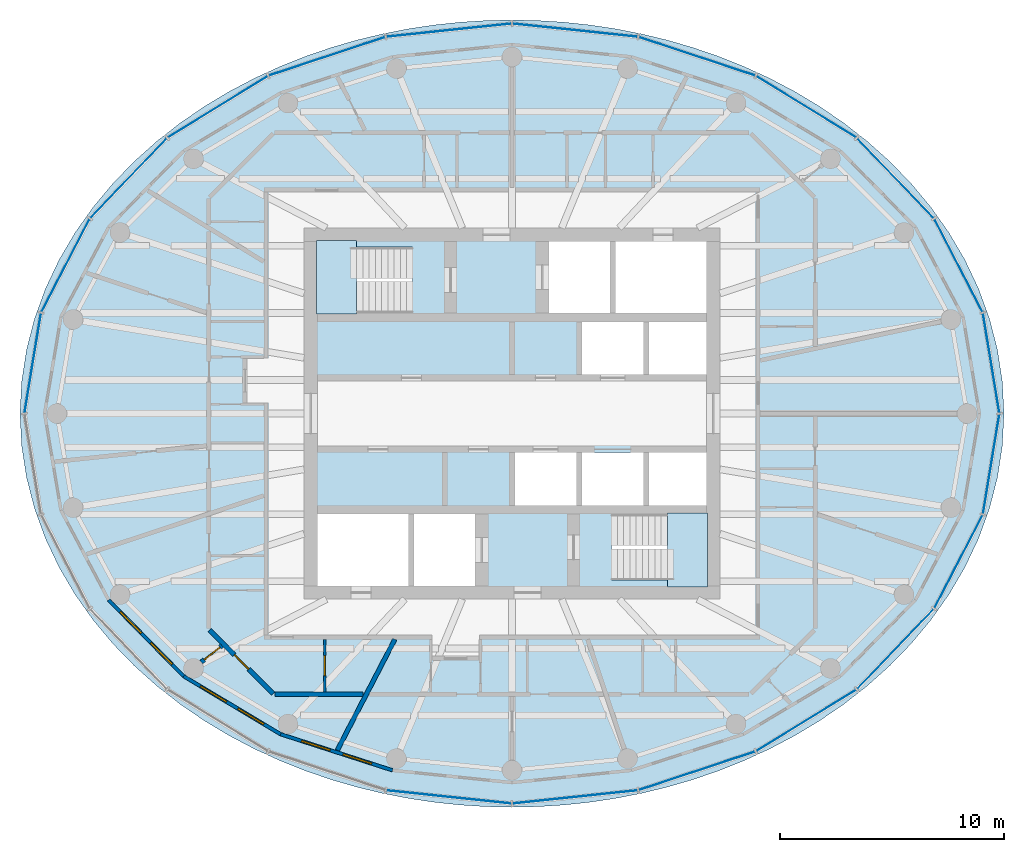
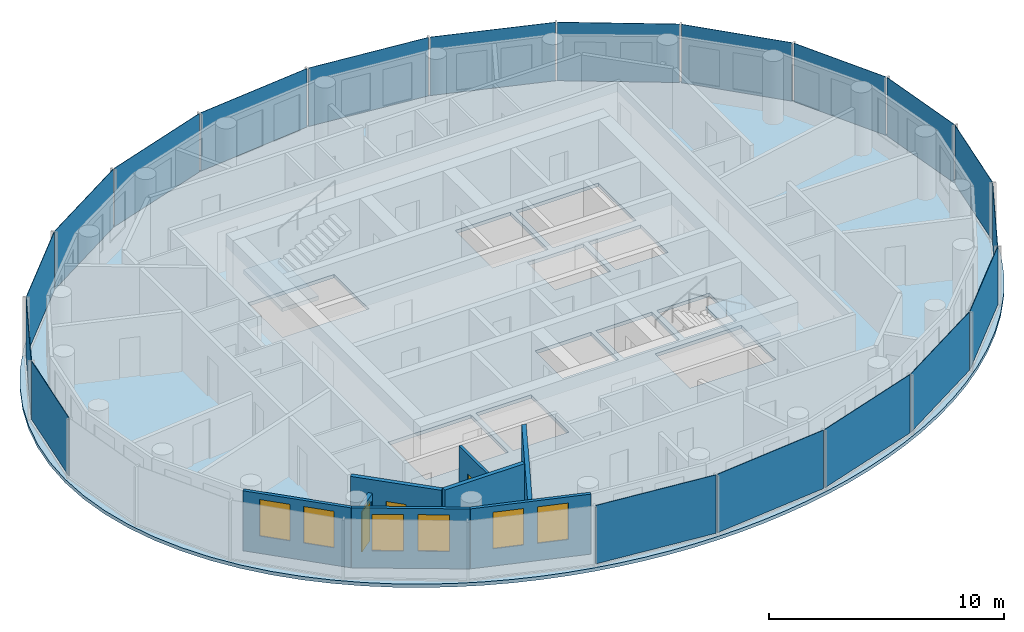
# One storey, part 4 of 11: 19 plates, 8 walls, 6 windows, 3 doors, 3 slabs, 9 openings, 6 elements without a shape of their own.
"""IFC4 building model written with IfcOpenShell, lengths in metres."""

from ifc_helpers import new_model, si_unit, direction, frame, frame_2d, origin, origin_2d, place, context, subcontext, project, spatial, polyline, rectangle, outline, extrude, material, layer, layer_set, type_object, element, fill, aggregate, save


model = new_model("IFC4")

# Units and contexts
model_context = context("Model", 3, precision=1e-05, world=origin(), true_north=direction((0.0, 1.0)))
body_context = subcontext(model_context, "Body", "Model", "MODEL_VIEW")
ifc_project = project(units=[si_unit("LENGTHUNIT", "METRE"), si_unit("AREAUNIT", "SQUARE_METRE"), si_unit("VOLUMEUNIT", "CUBIC_METRE"), si_unit("PLANEANGLEUNIT", "RADIAN"), si_unit("MASSUNIT", "GRAM", prefix="KILO")], contexts=[model_context])

# Site, building, storey
site_placement = place(None, origin())
site = spatial("IfcSite", under=ifc_project, at=site_placement, CompositionType="ELEMENT")
building_placement = place(site_placement, origin())
building = spatial("IfcBuilding", under=site, at=building_placement, Name="Hankou Lantern Tower", CompositionType="ELEMENT")
storey_placement = place(building_placement, frame((0.0, 0.0, 196.199951171875)))
storey = spatial("IfcBuildingStorey", under=building, at=storey_placement, Name="L52", CompositionType="ELEMENT", Elevation=196.199951171875)

# Curtain wall, plates
ifc_material_1 = material(Name="Glass, dark grey tinted laminated", Category="glass")
curtain_wall_type = type_object("IfcCurtainWallType", Name="CWD OUTER SKIN SUITE", PredefinedType="USERDEFINED", material=ifc_material_1)
curtain_wall_1_placement = place(storey_placement, origin())
curtain_wall_1 = element("IfcCurtainWall", 1, at=curtain_wall_1_placement, inside=storey, type_object=curtain_wall_type, Name="CWD L52 OS1", ObjectType="OUTER SKIN SUITE", PredefinedType="USERDEFINED")
ifc_material_2 = material(Name="Glass, dark grey tinted laminated", Category="glass")
ifc_layer_1 = layer(ifc_material_2, 0.02392578125)
ifc_layer_set_1 = layer_set([ifc_layer_1], Name="Glass, dark grey tinted laminated")
plate_type = type_object("IfcPlateType", Name="PN1 OUTER SKIN GLASS PANEL", PredefinedType="CURTAIN_PANEL", material=ifc_layer_set_1)
plate_1_placement = place(storey_placement, frame((21.4287109375, 2.2568359375, 0.080078125), z_axis=(0.0, 0.0, 1.0), x_axis=(-0.162381515188, 0.986728049427, 0.0)))
plate_1 = element("IfcPlate", 2, at=plate_1_placement, type_object=plate_type, Name="CWD glass panel 1", PredefinedType="CURTAIN_PANEL", context=body_context, shape_type="SweptSolid", body=[
    extrude(rectangle(XDim=4.49462890625, YDim=0.02392578125, at=origin_2d()), origin(), (0.0, 0.0, 1.0), 3.0400390625),
])
plate_2_placement = place(storey_placement, frame((19.96826171875, 6.616943359375, 0.080078125), z_axis=(0.0, 0.0, 1.0), x_axis=(-0.459791091957, 0.888027112062, 0.0)))
plate_2 = element("IfcPlate", 3, at=plate_2_placement, type_object=plate_type, Name="CWD glass panel 2", PredefinedType="CURTAIN_PANEL", context=body_context, shape_type="SweptSolid", body=[
    extrude(rectangle(XDim=4.656494140625, YDim=0.02392578125, at=origin_2d()), origin(), (0.0, 0.0, 1.0), 3.0400390625),
])
plate_3_placement = place(storey_placement, frame((17.147216796875, 10.52587890625, 0.080078125), z_axis=(0.0, 0.0, 1.0), x_axis=(-0.692215809936, 0.721690565599, 0.0)))
plate_3 = element("IfcPlate", 4, at=plate_3_placement, type_object=plate_type, Name="CWD glass panel 3", PredefinedType="CURTAIN_PANEL", context=body_context, shape_type="SweptSolid", body=[
    extrude(rectangle(XDim=4.9248046875, YDim=0.02392578125, at=origin_2d()), origin(), (0.0, 0.0, 1.0), 3.0400390625),
])
plate_4_placement = place(storey_placement, frame((13.157470703125, 13.7177734375, 0.080078125), z_axis=(0.0, 0.0, 1.0), x_axis=(-0.852237151549, 0.523155653242, 0.0)))
plate_4 = element("IfcPlate", 5, at=plate_4_placement, type_object=plate_type, Name="CWD glass panel 4", PredefinedType="CURTAIN_PANEL", context=body_context, shape_type="SweptSolid", body=[
    extrude(rectangle(XDim=5.2177734375, YDim=0.02392578125, at=origin_2d()), origin(), (0.0, 0.0, 1.0), 3.0400390625),
])
plate_5_placement = place(storey_placement, frame((8.271240234375, 15.974609375, 0.080078125), z_axis=(0.0, 0.0, 1.0), x_axis=(-0.949240677293, 0.31455068999, 0.0)))
plate_5 = element("IfcPlate", 6, at=plate_5_placement, type_object=plate_type, Name="CWD glass panel 5", PredefinedType="CURTAIN_PANEL", context=body_context, shape_type="SweptSolid", body=[
    extrude(rectangle(XDim=5.458984375, YDim=0.02392578125, at=origin_2d()), origin(), (0.0, 0.0, 1.0), 3.0400390625),
])
plate_6_placement = place(storey_placement, frame((2.821044921875, 17.142822265625, 0.080078125), z_axis=(0.0, 0.0, 1.0), x_axis=(-0.994499359107, 0.104742659579, 0.0)))
plate_6 = element("IfcPlate", 7, at=plate_6_placement, type_object=plate_type, Name="CWD glass panel 6", PredefinedType="CURTAIN_PANEL", context=body_context, shape_type="SweptSolid", body=[
    extrude(rectangle(XDim=5.593505859375, YDim=0.02392578125, at=origin_2d()), origin(), (0.0, 0.0, 1.0), 3.0400390625),
])
aggregate(curtain_wall_1, [plate_1, plate_2, plate_3, plate_4, plate_5, plate_6])

curtain_wall_2_placement = place(storey_placement, origin())
curtain_wall_2 = element("IfcCurtainWall", 8, at=curtain_wall_2_placement, inside=storey, type_object=curtain_wall_type, Name="CWD L52 OS2", ObjectType="OUTER SKIN SUITE", PredefinedType="USERDEFINED")
plate_7_placement = place(storey_placement, frame((-2.821044921875, 17.142822265625, 0.080078125), z_axis=(0.0, 0.0, 1.0), x_axis=(-0.994499359107, -0.104742659579, 0.0)))
plate_7 = element("IfcPlate", 9, at=plate_7_placement, type_object=plate_type, Name="CWD glass panel 1", PredefinedType="CURTAIN_PANEL", context=body_context, shape_type="SweptSolid", body=[
    extrude(rectangle(XDim=5.593505859375, YDim=0.02392578125, at=origin_2d()), origin(), (0.0, 0.0, 1.0), 3.0400390625),
])
plate_8_placement = place(storey_placement, frame((-8.271240234375, 15.974609375, 0.080078125), z_axis=(0.0, 0.0, 1.0), x_axis=(-0.949240677293, -0.31455068999, 0.0)))
plate_8 = element("IfcPlate", 10, at=plate_8_placement, type_object=plate_type, Name="CWD glass panel 2", PredefinedType="CURTAIN_PANEL", context=body_context, shape_type="SweptSolid", body=[
    extrude(rectangle(XDim=5.458984375, YDim=0.02392578125, at=origin_2d()), origin(), (0.0, 0.0, 1.0), 3.0400390625),
])
plate_9_placement = place(storey_placement, frame((-13.157470703125, 13.7177734375, 0.080078125), z_axis=(0.0, 0.0, 1.0), x_axis=(-0.852237151549, -0.523155653242, 0.0)))
plate_9 = element("IfcPlate", 11, at=plate_9_placement, type_object=plate_type, Name="CWD glass panel 3", PredefinedType="CURTAIN_PANEL", context=body_context, shape_type="SweptSolid", body=[
    extrude(rectangle(XDim=5.2177734375, YDim=0.02392578125, at=origin_2d()), origin(), (0.0, 0.0, 1.0), 3.0400390625),
])
plate_10_placement = place(storey_placement, frame((-17.147216796875, 10.52587890625, 0.080078125), z_axis=(0.0, 0.0, 1.0), x_axis=(-0.692215809936, -0.721690565599, 0.0)))
plate_10 = element("IfcPlate", 12, at=plate_10_placement, type_object=plate_type, Name="CWD glass panel 4", PredefinedType="CURTAIN_PANEL", context=body_context, shape_type="SweptSolid", body=[
    extrude(rectangle(XDim=4.9248046875, YDim=0.02392578125, at=origin_2d()), origin(), (0.0, 0.0, 1.0), 3.0400390625),
])
plate_11_placement = place(storey_placement, frame((-19.96826171875, 6.616943359375, 0.080078125), z_axis=(0.0, 0.0, 1.0), x_axis=(-0.459791091957, -0.888027112062, 0.0)))
plate_11 = element("IfcPlate", 13, at=plate_11_placement, type_object=plate_type, Name="CWD glass panel 5", PredefinedType="CURTAIN_PANEL", context=body_context, shape_type="SweptSolid", body=[
    extrude(rectangle(XDim=4.656494140625, YDim=0.02392578125, at=origin_2d()), origin(), (0.0, 0.0, 1.0), 3.0400390625),
])
plate_12_placement = place(storey_placement, frame((-21.4287109375, 2.2568359375, 0.080078125), z_axis=(0.0, 0.0, 1.0), x_axis=(-0.162381515188, -0.986728049427, 0.0)))
plate_12 = element("IfcPlate", 14, at=plate_12_placement, type_object=plate_type, Name="CWD glass panel 6", PredefinedType="CURTAIN_PANEL", context=body_context, shape_type="SweptSolid", body=[
    extrude(rectangle(XDim=4.49462890625, YDim=0.02392578125, at=origin_2d()), origin(), (0.0, 0.0, 1.0), 3.0400390625),
])
aggregate(curtain_wall_2, [plate_7, plate_8, plate_9, plate_10, plate_11, plate_12])

# Curtain wall, plate
curtain_wall_3_placement = place(storey_placement, origin())
curtain_wall_3 = element("IfcCurtainWall", 15, at=curtain_wall_3_placement, inside=storey, type_object=curtain_wall_type, Name="CWD L52 OS3", ObjectType="OUTER SKIN SUITE", PredefinedType="USERDEFINED")
plate_13_placement = place(storey_placement, frame((-2.821044921875, -17.142822265625, 0.080078125), z_axis=(0.0, 0.0, 1.0), x_axis=(0.994499359107, -0.104742659579, 0.0)))
plate_13 = element("IfcPlate", 16, at=plate_13_placement, type_object=plate_type, Name="CWD glass panel 6", PredefinedType="CURTAIN_PANEL", context=body_context, shape_type="SweptSolid", body=[
    extrude(rectangle(XDim=5.593505859375, YDim=0.02392578125, at=origin_2d()), origin(), (0.0, 0.0, 1.0), 3.0400390625),
])
aggregate(curtain_wall_3, [plate_13])

# Curtain wall, plates
curtain_wall_4_placement = place(storey_placement, origin())
curtain_wall_4 = element("IfcCurtainWall", 17, at=curtain_wall_4_placement, inside=storey, type_object=curtain_wall_type, Name="CWD L52 OS4", ObjectType="OUTER SKIN SUITE", PredefinedType="USERDEFINED")
plate_14_placement = place(storey_placement, frame((2.821044921875, -17.142822265625, 0.080078125), z_axis=(0.0, 0.0, 1.0), x_axis=(0.994499359107, 0.104742659579, 0.0)))
plate_14 = element("IfcPlate", 18, at=plate_14_placement, type_object=plate_type, Name="CWD glass panel 1", PredefinedType="CURTAIN_PANEL", context=body_context, shape_type="SweptSolid", body=[
    extrude(rectangle(XDim=5.593505859375, YDim=0.02392578125, at=origin_2d()), origin(), (0.0, 0.0, 1.0), 3.0400390625),
])
plate_15_placement = place(storey_placement, frame((8.271240234375, -15.974609375, 0.080078125), z_axis=(0.0, 0.0, 1.0), x_axis=(0.949240677293, 0.31455068999, 0.0)))
plate_15 = element("IfcPlate", 19, at=plate_15_placement, type_object=plate_type, Name="CWD glass panel 2", PredefinedType="CURTAIN_PANEL", context=body_context, shape_type="SweptSolid", body=[
    extrude(rectangle(XDim=5.458984375, YDim=0.02392578125, at=origin_2d()), origin(), (0.0, 0.0, 1.0), 3.0400390625),
])
plate_16_placement = place(storey_placement, frame((13.157470703125, -13.7177734375, 0.080078125), z_axis=(0.0, 0.0, 1.0), x_axis=(0.852237151549, 0.523155653242, 0.0)))
plate_16 = element("IfcPlate", 20, at=plate_16_placement, type_object=plate_type, Name="CWD glass panel 3", PredefinedType="CURTAIN_PANEL", context=body_context, shape_type="SweptSolid", body=[
    extrude(rectangle(XDim=5.2177734375, YDim=0.02392578125, at=origin_2d()), origin(), (0.0, 0.0, 1.0), 3.0400390625),
])
plate_17_placement = place(storey_placement, frame((17.147216796875, -10.52587890625, 0.080078125), z_axis=(0.0, 0.0, 1.0), x_axis=(0.692215809936, 0.721690565599, 0.0)))
plate_17 = element("IfcPlate", 21, at=plate_17_placement, type_object=plate_type, Name="CWD glass panel 4", PredefinedType="CURTAIN_PANEL", context=body_context, shape_type="SweptSolid", body=[
    extrude(rectangle(XDim=4.9248046875, YDim=0.02392578125, at=origin_2d()), origin(), (0.0, 0.0, 1.0), 3.0400390625),
])
plate_18_placement = place(storey_placement, frame((19.96826171875, -6.616943359375, 0.080078125), z_axis=(0.0, 0.0, 1.0), x_axis=(0.459791091957, 0.888027112062, 0.0)))
plate_18 = element("IfcPlate", 22, at=plate_18_placement, type_object=plate_type, Name="CWD glass panel 5", PredefinedType="CURTAIN_PANEL", context=body_context, shape_type="SweptSolid", body=[
    extrude(rectangle(XDim=4.656494140625, YDim=0.02392578125, at=origin_2d()), origin(), (0.0, 0.0, 1.0), 3.0400390625),
])
plate_19_placement = place(storey_placement, frame((21.4287109375, -2.2568359375, 0.080078125), z_axis=(0.0, 0.0, 1.0), x_axis=(0.162381515188, 0.986728049427, 0.0)))
plate_19 = element("IfcPlate", 23, at=plate_19_placement, type_object=plate_type, Name="CWD glass panel 6", PredefinedType="CURTAIN_PANEL", context=body_context, shape_type="SweptSolid", body=[
    extrude(rectangle(XDim=4.49462890625, YDim=0.02392578125, at=origin_2d()), origin(), (0.0, 0.0, 1.0), 3.0400390625),
])
aggregate(curtain_wall_4, [plate_14, plate_15, plate_16, plate_17, plate_18, plate_19])

# Slab
ifc_material_3 = material(Name="Concrete C50", Category="concrete")
ifc_layer_2 = layer(ifc_material_3, 0.179931640625)
ifc_layer_set_2 = layer_set([ifc_layer_2], Name="Concrete C50")
slab_type_1 = type_object("IfcSlabType", Name="S1 CONCRETE FLOOR SLAB 180", PredefinedType="FLOOR", material=ifc_layer_set_2)
slab_1_placement = place(storey_placement, frame((0.0, 0.0, -0.179931640625)))
element("IfcSlab", 24, at=slab_1_placement, inside=storey, type_object=slab_type_1, Name="Floor slab L52", PredefinedType="FLOOR", context=body_context, shape_type="SweptSolid", body=[
    extrude(outline(polyline([(22.0, 0.0), (21.926513671875, 1.437255859375), (21.7080078125, 2.85791015625), (21.349853515625, 4.246826171875), (20.861083984375, 5.589599609375), (20.252197265625, 6.874755859375), (19.53662109375, 8.09228515625), (18.727783203125, 9.235595703125), (17.83935546875, 10.299560546875), (16.88525390625, 11.2822265625), (15.877197265625, 12.18310546875), (14.82666015625, 13.002685546875), (13.743408203125, 13.743408203125), (12.63525390625, 14.40771484375), (11.509521484375, 14.999267578125), (10.37109375, 15.521728515625), (9.224853515625, 15.97802734375), (8.07373046875, 16.3720703125), (6.920166015625, 16.70654296875), (5.765625, 16.98486328125), (4.611083984375, 17.208984375), (3.457275390625, 17.38134765625), (2.304443359375, 17.503173828125), (1.152099609375, 17.575927734375), (0.0, 17.60009765625), (-1.152099609375, 17.575927734375), (-2.304443359375, 17.503173828125), (-3.457275390625, 17.38134765625), (-4.611083984375, 17.208984375), (-5.765625, 16.98486328125), (-6.920166015625, 16.70654296875), (-8.07373046875, 16.3720703125), (-9.224853515625, 15.97802734375), (-10.37109375, 15.521728515625), (-11.509521484375, 14.999267578125), (-12.63525390625, 14.40771484375), (-13.743408203125, 13.743408203125), (-14.82666015625, 13.002685546875), (-15.877197265625, 12.18310546875), (-16.88525390625, 11.2822265625), (-17.83935546875, 10.299560546875), (-18.727783203125, 9.235595703125), (-19.53662109375, 8.09228515625), (-20.252197265625, 6.874755859375), (-20.861083984375, 5.589599609375), (-21.349853515625, 4.246826171875), (-21.7080078125, 2.85791015625), (-21.926513671875, 1.437255859375), (-22.0, 0.0), (-21.926513671875, -1.437255859375), (-21.7080078125, -2.85791015625), (-21.349853515625, -4.246826171875), (-20.861083984375, -5.589599609375), (-20.252197265625, -6.874755859375), (-19.53662109375, -8.09228515625), (-18.727783203125, -9.235595703125), (-17.83935546875, -10.299560546875), (-16.88525390625, -11.2822265625), (-15.877197265625, -12.18310546875), (-14.82666015625, -13.002685546875), (-13.743408203125, -13.743408203125), (-12.63525390625, -14.40771484375), (-11.509521484375, -14.999267578125), (-10.37109375, -15.521728515625), (-9.224853515625, -15.97802734375), (-8.07373046875, -16.3720703125), (-6.920166015625, -16.70654296875), (-5.765625, -16.98486328125), (-4.611083984375, -17.208984375), (-3.457275390625, -17.38134765625), (-2.304443359375, -17.503173828125), (-1.152099609375, -17.575927734375), (0.0, -17.60009765625), (1.152099609375, -17.575927734375), (2.304443359375, -17.503173828125), (3.457275390625, -17.38134765625), (4.611083984375, -17.208984375), (5.765625, -16.98486328125), (6.920166015625, -16.70654296875), (8.07373046875, -16.3720703125), (9.224853515625, -15.97802734375), (10.37109375, -15.521728515625), (11.509521484375, -14.999267578125), (12.63525390625, -14.40771484375), (13.743408203125, -13.743408203125), (14.82666015625, -13.002685546875), (15.877197265625, -12.18310546875), (16.88525390625, -11.2822265625), (17.83935546875, -10.299560546875), (18.727783203125, -9.235595703125), (19.53662109375, -8.09228515625), (20.252197265625, -6.874755859375), (20.861083984375, -5.589599609375), (21.349853515625, -4.246826171875), (21.7080078125, -2.85791015625), (21.926513671875, -1.437255859375), (22.0, 0.0)]), holes=[polyline([(3.125, 4.10009765625), (5.875, 4.10009765625), (5.875, 1.75), (3.125, 1.75), (3.125, 4.10009765625)]), polyline([(6.125, 4.10009765625), (8.699951171875, 4.10009765625), (8.699951171875, 1.75), (6.125, 1.75), (6.125, 4.10009765625)]), polyline([(0.125, -1.75), (2.875, -1.75), (2.875, -4.10009765625), (0.125, -4.10009765625), (0.125, -1.75)]), polyline([(3.125, -1.75), (5.875, -1.75), (5.875, -4.10009765625), (3.125, -4.10009765625), (3.125, -1.75)]), polyline([(6.125, -1.75), (8.699951171875, -1.75), (8.699951171875, -4.10009765625), (6.125, -4.10009765625), (6.125, -1.75)]), polyline([(1.64990234375, 7.699951171875), (4.375, 7.699951171875), (4.375, 4.5), (1.64990234375, 4.5), (1.64990234375, 7.699951171875)]), polyline([(-4.375, -4.5), (-1.64990234375, -4.5), (-1.64990234375, -7.699951171875), (-4.375, -7.699951171875), (-4.375, -4.5)]), polyline([(-8.699951171875, 7.449951171875), (-4.449951171875, 7.449951171875), (-4.449951171875, 4.5), (-8.699951171875, 4.5), (-8.699951171875, 7.449951171875)]), polyline([(4.449951171875, -4.5), (8.699951171875, -4.5), (8.699951171875, -7.449951171875), (4.449951171875, -7.449951171875), (4.449951171875, -4.5)]), polyline([(4.625, 7.699951171875), (8.699951171875, 7.699951171875), (8.699951171875, 4.5), (4.625, 4.5), (4.625, 7.699951171875)]), polyline([(-8.699951171875, -4.5), (-4.625, -4.5), (-4.625, -7.699951171875), (-8.699951171875, -7.699951171875), (-8.699951171875, -4.5)])]), origin(), (0.0, 0.0, 1.0), 0.179931640625),
])

# Stair, slab
ifc_material_4 = material(Name="Concrete C40", Category="concrete")
stair_type = type_object("IfcStairType", Name="ST33 CORE STAIR 3300 RISE", PredefinedType="HALF_TURN_STAIR", material=ifc_material_4)
stair_1_placement = place(storey_placement, origin())
stair_1 = element("IfcStair", 25, at=stair_1_placement, inside=storey, type_object=stair_type, Name="Stair STA L52", PredefinedType="HALF_TURN_STAIR")
ifc_material_5 = material(Name="Concrete C40", Category="concrete")
ifc_layer_3 = layer(ifc_material_5, 0.199951171875)
ifc_layer_set_3 = layer_set([ifc_layer_3], Name="Concrete C40")
slab_type_2 = type_object("IfcSlabType", Name="SL1 STAIR LANDING 200", PredefinedType="LANDING", material=ifc_layer_set_3)
slab_2_placement = place(storey_placement, frame((0.0, 0.0, 1.37158203125)))
slab_2 = element("IfcSlab", 26, at=slab_2_placement, type_object=slab_type_2, Name="STA landing 1", PredefinedType="LANDING", context=body_context, shape_type="SweptSolid", body=[
    extrude(outline(polyline([(-8.75, 4.449951171875), (-6.949951171875, 4.449951171875), (-6.949951171875, 7.75), (-8.75, 7.75), (-8.75, 4.449951171875)])), origin(), (0.0, 0.0, 1.0), 0.199951171875),
])
aggregate(stair_1, [slab_2])

stair_2_placement = place(storey_placement, origin())
stair_2 = element("IfcStair", 27, at=stair_2_placement, inside=storey, type_object=stair_type, Name="Stair STB L52", PredefinedType="HALF_TURN_STAIR")
slab_3_placement = place(storey_placement, frame((0.0, 0.0, 1.37158203125)))
slab_3 = element("IfcSlab", 28, at=slab_3_placement, type_object=slab_type_2, Name="STB landing 1", PredefinedType="LANDING", context=body_context, shape_type="SweptSolid", body=[
    extrude(outline(polyline([(8.75, -4.449951171875), (6.949951171875, -4.449951171875), (6.949951171875, -7.75), (8.75, -7.75), (8.75, -4.449951171875)])), origin(), (0.0, 0.0, 1.0), 0.199951171875),
])
aggregate(stair_2, [slab_3])

# Wall, openings, windows
ifc_material_6 = material(Name="Aluminium spandrel panel on steel studs", Category="steel")
ifc_layer_4 = layer(ifc_material_6, 0.14990234375)
ifc_layer_set_4 = layer_set([ifc_layer_4], Name="Aluminium spandrel panel on steel studs")
wall_type_1 = type_object("IfcWallType", Name="EW1 INNER SKIN WALL 150", PredefinedType="ELEMENTEDWALL", material=ifc_layer_set_4)
wall_1_placement = place(storey_placement, frame((-18.03955078125, -8.33203125, 0.0), z_axis=(0.0, 0.0, 1.0), x_axis=(0.701527379618, -0.712642501993, 0.0)))
wall_1 = element("IfcWall", 29, at=wall_1_placement, inside=storey, type_object=wall_type_1, Name="Inner skin R15-R16 L52", PredefinedType="ELEMENTEDWALL", context=body_context, shape_type="SweptSolid", body=[
    extrude(rectangle(XDim=4.788330078125, YDim=0.14990234375, at=frame_2d((2.39404296875, 0.0))), origin(), (0.0, 0.0, 1.0), 3.1201171875),
])
opening_1_placement = place(wall_1_placement, frame((0.744140625, 0.0, 0.89990234375)))
opening_1 = element("IfcOpeningElement", 30, at=opening_1_placement, cuts=wall_1, Name="Opening W4", PredefinedType="OPENING", context=body_context, shape_type="SweptSolid", body=[
    extrude(rectangle(XDim=1.35009765625, YDim=1.89990234375, at=frame_2d((0.675048828125, 0.949951171875))), frame((0.0, 0.0849609375, 0.0), z_axis=(0.0, -1.0, 0.0), x_axis=(1.0, 0.0, 0.0)), (0.0, 0.0, 1.0), 0.169921875),
])
opening_2_placement = place(wall_1_placement, frame((2.694091796875, 0.0, 0.89990234375)))
opening_2 = element("IfcOpeningElement", 31, at=opening_2_placement, cuts=wall_1, Name="Opening W4", PredefinedType="OPENING", context=body_context, shape_type="SweptSolid", body=[
    extrude(rectangle(XDim=1.35009765625, YDim=1.89990234375, at=frame_2d((0.675048828125, 0.949951171875))), frame((0.0, 0.0849609375, 0.0), z_axis=(0.0, -1.0, 0.0), x_axis=(1.0, 0.0, 0.0)), (0.0, 0.0, 1.0), 0.169921875),
])
ifc_material_7 = material(Name="Aluminium framed double glazed window", Category="aluminium")
window_type = type_object("IfcWindowType", Name="W4 SUITE WINDOW 1350X1900", PartitioningType="DOUBLE_PANEL_VERTICAL", PredefinedType="WINDOW", material=ifc_material_7)
window_1_placement = place(opening_1_placement, origin())
window_1 = element("IfcWindow", 32, at=window_1_placement, inside=storey, type_object=window_type, Name="Window R15.1 L52", OverallHeight=1.89990234375, OverallWidth=1.35009765625, PartitioningType="SINGLE_PANEL", PredefinedType="WINDOW", context=body_context, shape_type="SweptSolid", body=[
    extrude(rectangle(XDim=1.35009765625, YDim=1.89990234375, at=frame_2d((0.675048828125, 0.949951171875))), frame((0.0, 0.030029296875, 0.0), z_axis=(0.0, -1.0, 0.0), x_axis=(1.0, 0.0, 0.0)), (0.0, 0.0, 1.0), 0.06005859375),
])
fill(opening_1, window_1)
window_2_placement = place(opening_2_placement, origin())
window_2 = element("IfcWindow", 33, at=window_2_placement, inside=storey, type_object=window_type, Name="Window R15.2 L52", OverallHeight=1.89990234375, OverallWidth=1.35009765625, PartitioningType="SINGLE_PANEL", PredefinedType="WINDOW", context=body_context, shape_type="SweptSolid", body=[
    extrude(rectangle(XDim=1.35009765625, YDim=1.89990234375, at=frame_2d((0.675048828125, 0.949951171875))), frame((0.0, 0.030029296875, 0.0), z_axis=(0.0, -1.0, 0.0), x_axis=(1.0, 0.0, 0.0)), (0.0, 0.0, 1.0), 0.06005859375),
])
fill(opening_2, window_2)

wall_2_placement = place(storey_placement, frame((-14.680419921875, -11.744384765625, 0.0), z_axis=(0.0, 0.0, 1.0), x_axis=(0.85822150553, -0.513279502265, 0.0)))
wall_2 = element("IfcWall", 34, at=wall_2_placement, inside=storey, type_object=wall_type_1, Name="Inner skin R16-R17 L52", PredefinedType="ELEMENTEDWALL", context=body_context, shape_type="SweptSolid", body=[
    extrude(rectangle(XDim=5.050048828125, YDim=0.14990234375, at=frame_2d((2.52490234375, 0.0))), origin(), (0.0, 0.0, 1.0), 3.1201171875),
])
opening_3_placement = place(wall_2_placement, frame((0.875, 0.0, 0.89990234375)))
opening_3 = element("IfcOpeningElement", 35, at=opening_3_placement, cuts=wall_2, Name="Opening W4", PredefinedType="OPENING", context=body_context, shape_type="SweptSolid", body=[
    extrude(rectangle(XDim=1.35009765625, YDim=1.89990234375, at=frame_2d((0.675048828125, 0.949951171875))), frame((0.0, 0.0849609375, 0.0), z_axis=(0.0, -1.0, 0.0), x_axis=(1.0, 0.0, 0.0)), (0.0, 0.0, 1.0), 0.169921875),
])
opening_4_placement = place(wall_2_placement, frame((2.824951171875, 0.0, 0.89990234375)))
opening_4 = element("IfcOpeningElement", 36, at=opening_4_placement, cuts=wall_2, Name="Opening W4", PredefinedType="OPENING", context=body_context, shape_type="SweptSolid", body=[
    extrude(rectangle(XDim=1.35009765625, YDim=1.89990234375, at=frame_2d((0.675048828125, 0.949951171875))), frame((0.0, 0.0849609375, 0.0), z_axis=(0.0, -1.0, 0.0), x_axis=(1.0, 0.0, 0.0)), (0.0, 0.0, 1.0), 0.169921875),
])
window_3_placement = place(opening_3_placement, origin())
window_3 = element("IfcWindow", 37, at=window_3_placement, inside=storey, type_object=window_type, Name="Window R16.1 L52", OverallHeight=1.89990234375, OverallWidth=1.35009765625, PartitioningType="SINGLE_PANEL", PredefinedType="WINDOW", context=body_context, shape_type="SweptSolid", body=[
    extrude(rectangle(XDim=1.35009765625, YDim=1.89990234375, at=frame_2d((0.675048828125, 0.949951171875))), frame((0.0, 0.030029296875, 0.0), z_axis=(0.0, -1.0, 0.0), x_axis=(1.0, 0.0, 0.0)), (0.0, 0.0, 1.0), 0.06005859375),
])
fill(opening_3, window_3)
window_4_placement = place(opening_4_placement, origin())
window_4 = element("IfcWindow", 38, at=window_4_placement, inside=storey, type_object=window_type, Name="Window R16.2 L52", OverallHeight=1.89990234375, OverallWidth=1.35009765625, PartitioningType="SINGLE_PANEL", PredefinedType="WINDOW", context=body_context, shape_type="SweptSolid", body=[
    extrude(rectangle(XDim=1.35009765625, YDim=1.89990234375, at=frame_2d((0.675048828125, 0.949951171875))), frame((0.0, 0.030029296875, 0.0), z_axis=(0.0, -1.0, 0.0), x_axis=(1.0, 0.0, 0.0)), (0.0, 0.0, 1.0), 0.06005859375),
])
fill(opening_4, window_4)

wall_3_placement = place(storey_placement, frame((-10.346435546875, -14.33642578125, 0.0), z_axis=(0.0, 0.0, 1.0), x_axis=(0.951644702515, -0.307200846638, 0.0)))
wall_3 = element("IfcWall", 39, at=wall_3_placement, inside=storey, type_object=wall_type_1, Name="Inner skin R17-R18 L52", PredefinedType="ELEMENTEDWALL", context=body_context, shape_type="SweptSolid", body=[
    extrude(rectangle(XDim=5.2578125, YDim=0.14990234375, at=frame_2d((2.62890625, 0.0))), origin(), (0.0, 0.0, 1.0), 3.1201171875),
])
opening_5_placement = place(wall_3_placement, frame((0.97900390625, 0.0, 0.89990234375)))
opening_5 = element("IfcOpeningElement", 40, at=opening_5_placement, cuts=wall_3, Name="Opening W4", PredefinedType="OPENING", context=body_context, shape_type="SweptSolid", body=[
    extrude(rectangle(XDim=1.35009765625, YDim=1.89990234375, at=frame_2d((0.675048828125, 0.949951171875))), frame((0.0, 0.0849609375, 0.0), z_axis=(0.0, -1.0, 0.0), x_axis=(1.0, 0.0, 0.0)), (0.0, 0.0, 1.0), 0.169921875),
])
opening_6_placement = place(wall_3_placement, frame((2.928955078125, 0.0, 0.89990234375)))
opening_6 = element("IfcOpeningElement", 41, at=opening_6_placement, cuts=wall_3, Name="Opening W4", PredefinedType="OPENING", context=body_context, shape_type="SweptSolid", body=[
    extrude(rectangle(XDim=1.35009765625, YDim=1.89990234375, at=frame_2d((0.675048828125, 0.949951171875))), frame((0.0, 0.0849609375, 0.0), z_axis=(0.0, -1.0, 0.0), x_axis=(1.0, 0.0, 0.0)), (0.0, 0.0, 1.0), 0.169921875),
])
window_5_placement = place(opening_5_placement, origin())
window_5 = element("IfcWindow", 42, at=window_5_placement, inside=storey, type_object=window_type, Name="Window R17.1 L52", OverallHeight=1.89990234375, OverallWidth=1.35009765625, PartitioningType="SINGLE_PANEL", PredefinedType="WINDOW", context=body_context, shape_type="SweptSolid", body=[
    extrude(rectangle(XDim=1.35009765625, YDim=1.89990234375, at=frame_2d((0.675048828125, 0.949951171875))), frame((0.0, 0.030029296875, 0.0), z_axis=(0.0, -1.0, 0.0), x_axis=(1.0, 0.0, 0.0)), (0.0, 0.0, 1.0), 0.06005859375),
])
fill(opening_5, window_5)
window_6_placement = place(opening_6_placement, origin())
window_6 = element("IfcWindow", 43, at=window_6_placement, inside=storey, type_object=window_type, Name="Window R17.2 L52", OverallHeight=1.89990234375, OverallWidth=1.35009765625, PartitioningType="SINGLE_PANEL", PredefinedType="WINDOW", context=body_context, shape_type="SweptSolid", body=[
    extrude(rectangle(XDim=1.35009765625, YDim=1.89990234375, at=frame_2d((0.675048828125, 0.949951171875))), frame((0.0, 0.030029296875, 0.0), z_axis=(0.0, -1.0, 0.0), x_axis=(1.0, 0.0, 0.0)), (0.0, 0.0, 1.0), 0.06005859375),
])
fill(opening_6, window_6)

# Wall
ifc_material_8 = material(Name="Masonry lightweight concrete block", Category="masonry")
ifc_layer_5 = layer(ifc_material_8, 0.199951171875)
ifc_layer_set_5 = layer_set([ifc_layer_5], Name="Masonry lightweight concrete block")
wall_type_2 = type_object("IfcWallType", Name="IW1 GUEST ROOM PARTY WALL 200", PredefinedType="PARTITIONING", material=ifc_layer_set_5)
wall_4_placement = place(storey_placement, frame((-5.2412109375, -10.10009765625, 0.0), z_axis=(0.0, 0.0, 1.0), x_axis=(-0.460603196597, -0.887606160008, 0.0)))
element("IfcWall", 44, at=wall_4_placement, inside=storey, type_object=wall_type_2, Name="Party wall R17-R18", PredefinedType="PARTITIONING", context=body_context, shape_type="SweptSolid", body=[
    extrude(rectangle(XDim=5.580322265625, YDim=0.199951171875, at=frame_2d((2.7900390625, 0.0))), origin(), (0.0, 0.0, 1.0), 3.1201171875),
])

# Wall, opening, door
ifc_material_9 = material(Name="Masonry lightweight concrete block", Category="masonry")
ifc_layer_6 = layer(ifc_material_9, 0.1201171875)
ifc_layer_set_6 = layer_set([ifc_layer_6], Name="Masonry lightweight concrete block")
wall_type_3 = type_object("IfcWallType", Name="IW3 BATHROOM WALL 120", PredefinedType="PARTITIONING", material=ifc_layer_set_6)
wall_5_placement = place(storey_placement, frame((-8.374755859375, -10.10009765625, 0.0), z_axis=(0.0, 0.0, 1.0), x_axis=(0.0, -1.0, 0.0)))
wall_5 = element("IfcWall", 45, at=wall_5_placement, inside=storey, type_object=wall_type_3, Name="Box wall 5205 3", PredefinedType="PARTITIONING", context=body_context, shape_type="SweptSolid", body=[
    extrude(rectangle(XDim=2.349853515625, YDim=0.1201171875, at=frame_2d((1.1748046875, 0.0))), origin(), (0.0, 0.0, 1.0), 3.1201171875),
])
opening_7_placement = place(wall_5_placement, frame((0.719970703125, 0.0, 0.0)))
opening_7 = element("IfcOpeningElement", 46, at=opening_7_placement, cuts=wall_5, Name="Opening D27", PredefinedType="OPENING", context=body_context, shape_type="SweptSolid", body=[
    extrude(rectangle(XDim=0.89990234375, YDim=2.10009765625, at=frame_2d((0.449951171875, 1.050048828125))), frame((0.0, 0.070068359375, 0.0), z_axis=(0.0, -1.0, 0.0), x_axis=(1.0, 0.0, 0.0)), (0.0, 0.0, 1.0), 0.14013671875),
])
ifc_material_10 = material(Name="Timber door leaf", Category="wood")
door_type = type_object("IfcDoorType", Name="D27 INTERNAL DOOR 900X2100", OperationType="SINGLE_SWING_LEFT", PredefinedType="DOOR", material=ifc_material_10)
door_1_placement = place(opening_7_placement, origin())
door_1 = element("IfcDoor", 47, at=door_1_placement, inside=storey, type_object=door_type, Name="Suite 5205 walk-in wardrobe door", OperationType="SINGLE_SWING_LEFT", OverallHeight=2.10009765625, OverallWidth=0.89990234375, PredefinedType="DOOR", context=body_context, shape_type="SweptSolid", body=[
    extrude(rectangle(XDim=0.89990234375, YDim=2.10009765625, at=frame_2d((0.449951171875, 1.050048828125))), frame((0.0, 0.02490234375, 0.0), z_axis=(0.0, -1.0, 0.0), x_axis=(1.0, 0.0, 0.0)), (0.0, 0.0, 1.0), 0.050048828125),
])
fill(opening_7, door_1)

ifc_material_11 = material(Name="Masonry lightweight concrete block", Category="masonry")
ifc_layer_7 = layer(ifc_material_11, 0.199951171875)
ifc_layer_set_7 = layer_set([ifc_layer_7], Name="Masonry lightweight concrete block")
wall_type_4 = type_object("IfcWallType", Name="IW6 SUITE PARTITION 200", PredefinedType="PARTITIONING", material=ifc_layer_set_7)
wall_6_placement = place(storey_placement, frame((-13.520751953125, -9.67919921875, 0.0), z_axis=(0.0, 0.0, 1.0), x_axis=(0.707106781187, -0.707106781187, 0.0)))
wall_6 = element("IfcWall", 48, at=wall_6_placement, inside=storey, type_object=wall_type_4, Name="Suite foyer wall 5205", PredefinedType="PARTITIONING", context=body_context, shape_type="SweptSolid", body=[
    extrude(rectangle(XDim=4.0185546875, YDim=0.199951171875, at=frame_2d((2.00927734375, 0.0))), origin(), (0.0, 0.0, 1.0), 3.1201171875),
])
opening_8_placement = place(wall_6_placement, frame((1.570068359375, 0.0, 0.0)))
opening_8 = element("IfcOpeningElement", 49, at=opening_8_placement, cuts=wall_6, Name="Opening D27", PredefinedType="OPENING", context=body_context, shape_type="SweptSolid", body=[
    extrude(rectangle(XDim=0.89990234375, YDim=2.10009765625, at=frame_2d((0.449951171875, 1.050048828125))), frame((0.0, 0.10986328125, 0.0), z_axis=(0.0, -1.0, 0.0), x_axis=(1.0, 0.0, 0.0)), (0.0, 0.0, 1.0), 0.219970703125),
])
door_2_placement = place(opening_8_placement, origin())
door_2 = element("IfcDoor", 50, at=door_2_placement, inside=storey, type_object=door_type, Name="Suite 5205 living room door", OperationType="SINGLE_SWING_RIGHT", OverallHeight=2.10009765625, OverallWidth=0.89990234375, PredefinedType="DOOR", context=body_context, shape_type="SweptSolid", body=[
    extrude(rectangle(XDim=0.89990234375, YDim=2.10009765625, at=frame_2d((0.449951171875, 1.050048828125))), frame((0.0, 0.02490234375, 0.0), z_axis=(0.0, -1.0, 0.0), x_axis=(1.0, 0.0, 0.0)), (0.0, 0.0, 1.0), 0.050048828125),
])
fill(opening_8, door_2)

# Wall
wall_7_placement = place(storey_placement, frame((-10.608642578125, -12.550048828125, 0.0), z_axis=(0.0, 0.0, 1.0), x_axis=(1.0, 0.0, 0.0)))
element("IfcWall", 51, at=wall_7_placement, inside=storey, type_object=wall_type_4, Name="Suite foyer wall 5205", PredefinedType="PARTITIONING", context=body_context, shape_type="SweptSolid", body=[
    extrude(rectangle(XDim=3.947265625, YDim=0.199951171875, at=frame_2d((1.9736328125, 0.0))), origin(), (0.0, 0.0, 1.0), 3.1201171875),
])

# Wall, opening, door
wall_8_placement = place(storey_placement, frame((-12.967529296875, -10.3740234375, 0.0), z_axis=(0.0, 0.0, 1.0), x_axis=(-0.780888968944, -0.624669847345, 0.0)))
wall_8 = element("IfcWall", 52, at=wall_8_placement, inside=storey, type_object=wall_type_4, Name="Suite partition R16", PredefinedType="PARTITIONING", context=body_context, shape_type="SweptSolid", body=[
    extrude(rectangle(XDim=1.181396484375, YDim=0.199951171875, at=frame_2d((0.5908203125, 0.0))), origin(), (0.0, 0.0, 1.0), 2.420166015625),
])
opening_9_placement = place(wall_8_placement, frame((0.1201171875, 0.0, 0.0)))
opening_9 = element("IfcOpeningElement", 53, at=opening_9_placement, cuts=wall_8, Name="Opening D27", PredefinedType="OPENING", context=body_context, shape_type="SweptSolid", body=[
    extrude(rectangle(XDim=0.89990234375, YDim=2.10009765625, at=frame_2d((0.449951171875, 1.050048828125))), frame((0.0, 0.10986328125, 0.0), z_axis=(0.0, -1.0, 0.0), x_axis=(1.0, 0.0, 0.0)), (0.0, 0.0, 1.0), 0.219970703125),
])
door_3_placement = place(opening_9_placement, origin())
door_3 = element("IfcDoor", 54, at=door_3_placement, inside=storey, type_object=door_type, Name="Suite 5205 bedroom door", OperationType="SINGLE_SWING_LEFT", OverallHeight=2.10009765625, OverallWidth=0.89990234375, PredefinedType="DOOR", context=body_context, shape_type="SweptSolid", body=[
    extrude(rectangle(XDim=0.89990234375, YDim=2.10009765625, at=frame_2d((0.449951171875, 1.050048828125))), frame((0.0, 0.02490234375, 0.0), z_axis=(0.0, -1.0, 0.0), x_axis=(1.0, 0.0, 0.0)), (0.0, 0.0, 1.0), 0.050048828125),
])
fill(opening_9, door_3)

save(model, "model.ifc")
